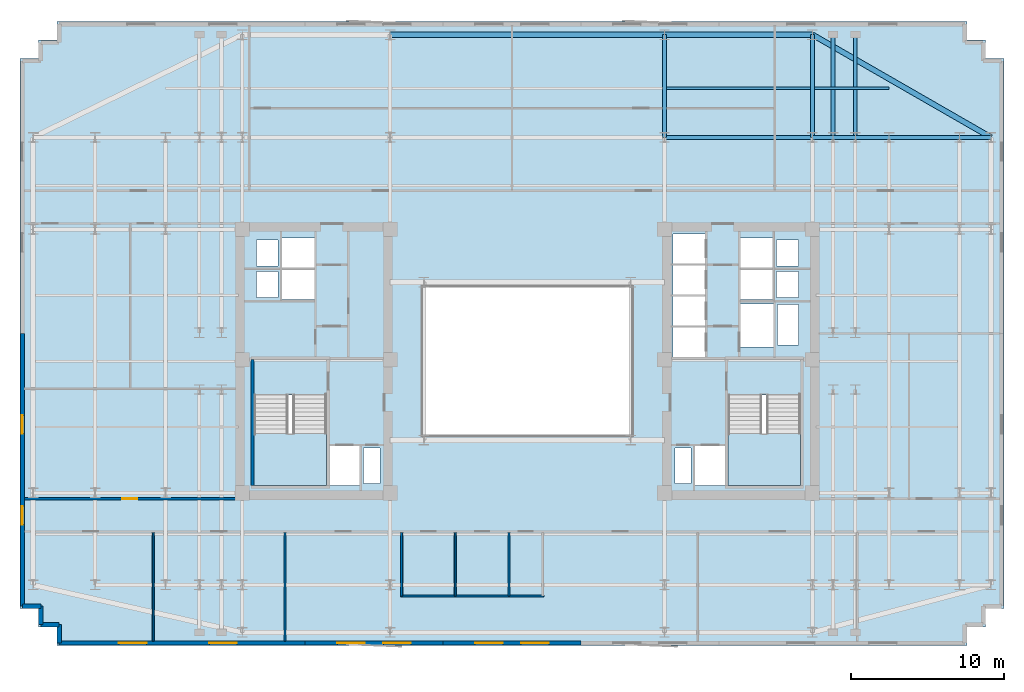
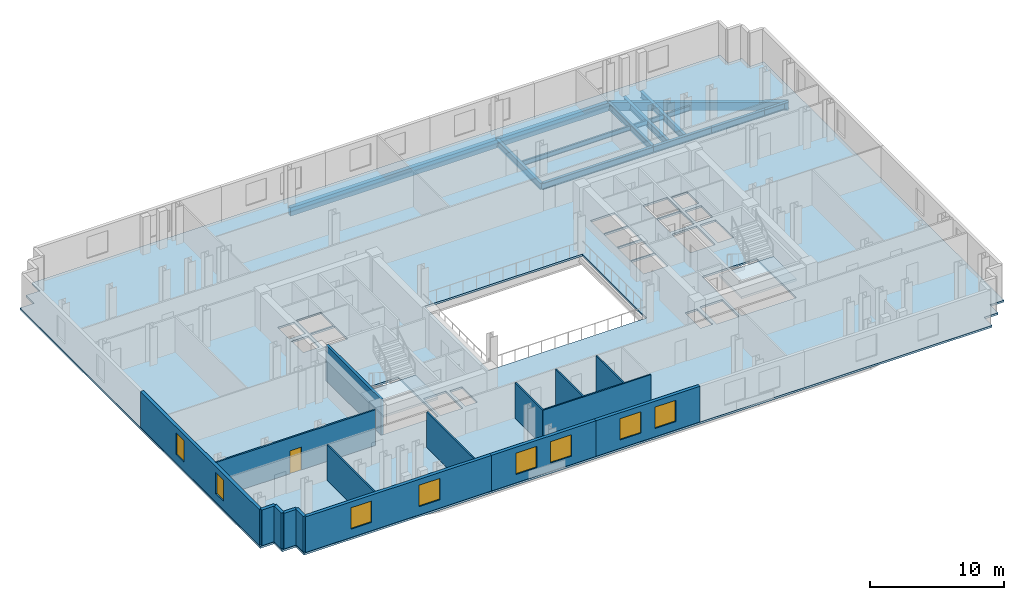
# One storey, part 3 of 10: 16 walls, 13 beams, 8 windows, 3 slabs, 1 door, 9 openings, 2 elements without a shape of their own.
"""IFC4 building model written with IfcOpenShell, lengths in metres."""

from ifc_helpers import new_model, si_unit, direction, frame, frame_2d, origin, origin_2d, place, context, subcontext, project, spatial, polyline, rectangle, i_section, outline, extrude, material, layer, layer_set, material_profile, profile_set, type_object, element, fill, aggregate, save


model = new_model("IFC4")

# Units and contexts
model_context = context("Model", 3, precision=1e-05, world=origin(), true_north=direction((0.0, 1.0)))
body_context = subcontext(model_context, "Body", "Model", "MODEL_VIEW")
ifc_project = project(units=[si_unit("LENGTHUNIT", "METRE"), si_unit("AREAUNIT", "SQUARE_METRE"), si_unit("VOLUMEUNIT", "CUBIC_METRE"), si_unit("PLANEANGLEUNIT", "RADIAN"), si_unit("MASSUNIT", "GRAM", prefix="KILO")], contexts=[model_context])

# Site, building, storey
site_placement = place(None, origin())
site = spatial("IfcSite", under=ifc_project, at=site_placement, CompositionType="ELEMENT")
building_placement = place(site_placement, origin())
building = spatial("IfcBuilding", under=site, at=building_placement, Name="Velakula Bourse", CompositionType="ELEMENT")
storey_placement = place(building_placement, frame((0.0, 0.0, 145.0)))
storey = spatial("IfcBuildingStorey", under=building, at=storey_placement, Name="L39", CompositionType="ELEMENT", Elevation=145.0)

# Beams
ifc_material_1 = material(Name="Steel IS 2062 Grade 350 (E350)", Category="steel")
ifc_material_profile_1 = material_profile(ifc_material_1, i_section(OverallWidth=0.25, OverallDepth=0.60009765625, WebThickness=0.01123046875, FlangeThickness=0.021240234375, at=origin_2d()), Name="Steel IS 2062 Grade 350 (E350)")
ifc_profile_set_1 = profile_set([ifc_material_profile_1], Name="Steel IS 2062 Grade 350 (E350)")
beam_type_1 = type_object("IfcBeamType", Name="BM-GRD-600M", PredefinedType="BEAM", material=ifc_profile_set_1)
beam_1_placement = place(storey_placement, frame((8.949951171875, 14.60009765625, -0.47998046875), z_axis=(1.0, 0.0, 0.0), x_axis=(0.0, 1.0, 0.0)))
element("IfcBeam", 1, at=beam_1_placement, inside=storey, type_object=beam_type_1, Name="L39 Fulcrum Grid Girder FLC-N3", PredefinedType="BEAM", context=body_context, shape_type="SweptSolid", body=[
    extrude(i_section(OverallWidth=0.25, OverallDepth=0.60009765625, WebThickness=0.01123046875, FlangeThickness=0.021240234375, at=origin_2d()), origin(), (0.0, 0.0, 1.0), 9.650146484375),
])
beam_2_placement = place(storey_placement, frame((18.60009765625, 14.60009765625, -0.47998046875), z_axis=(1.0, 0.0, 0.0), x_axis=(0.0, 1.0, 0.0)))
element("IfcBeam", 2, at=beam_2_placement, inside=storey, type_object=beam_type_1, Name="L39 Fulcrum Grid Girder MWG-EN2", PredefinedType="BEAM", context=body_context, shape_type="SweptSolid", body=[
    extrude(i_section(OverallWidth=0.25, OverallDepth=0.60009765625, WebThickness=0.01123046875, FlangeThickness=0.021240234375, at=origin_2d()), origin(), (0.0, 0.0, 1.0), 5.0),
])
beam_3_placement = place(storey_placement, frame((23.60009765625, 14.60009765625, -0.47998046875), z_axis=(1.0, 0.0, 0.0), x_axis=(0.0, 1.0, 0.0)))
element("IfcBeam", 3, at=beam_3_placement, inside=storey, type_object=beam_type_1, Name="L39 Fulcrum Grid Girder WNG-EN2", PredefinedType="BEAM", context=body_context, shape_type="SweptSolid", body=[
    extrude(i_section(OverallWidth=0.25, OverallDepth=0.60009765625, WebThickness=0.01123046875, FlangeThickness=0.021240234375, at=origin_2d()), origin(), (0.0, 0.0, 1.0), 4.599853515625),
])
for number, where, z_axis, x_axis, name in (
    (4, (8.949951171875, 14.60009765625, -0.47998046875), (0.0, 1.0, 0.0), (-1.0, 0.0, 0.0), "L39 Perimeter Tie Girder N3"),
    (5, (18.60009765625, 14.60009765625, -0.47998046875), (0.0, 1.0, 0.0), (-1.0, 0.0, 0.0), "L39 Perimeter Tie Girder N4"),
):
    element("IfcBeam", number, at=place(storey_placement, frame(where, z_axis=z_axis, x_axis=x_axis)), inside=storey, type_object=beam_type_1, Name=name, PredefinedType="BEAM", context=body_context, shape_type="SweptSolid", body=[
        extrude(i_section(OverallWidth=0.25, OverallDepth=0.60009765625, WebThickness=0.01123046875, FlangeThickness=0.021240234375, at=origin_2d()), origin(), (0.0, 0.0, 1.0), 6.699951171875),
    ])
beam_4_placement = place(storey_placement, frame((28.199951171875, 14.60009765625, -0.47998046875), z_axis=(1.0, 0.0, 0.0), x_axis=(0.0, 1.0, 0.0)))
element("IfcBeam", 6, at=beam_4_placement, inside=storey, type_object=beam_type_1, Name="L39 Perimeter Tie Girder E4", PredefinedType="BEAM", context=body_context, shape_type="SweptSolid", body=[
    extrude(i_section(OverallWidth=0.25, OverallDepth=0.60009765625, WebThickness=0.01123046875, FlangeThickness=0.021240234375, at=origin_2d()), origin(), (0.0, 0.0, 1.0), 2.050048828125),
])
for number, where, z_axis, x_axis, name in (
    (7, (19.949951171875, 14.60009765625, -0.47998046875), (0.0, 1.0, 0.0), (-1.0, 0.0, 0.0), "L39 Perimeter Tie Girder P07"),
    (8, (21.39990234375, 14.60009765625, -0.47998046875), (0.0, 1.0, 0.0), (-1.0, 0.0, 0.0), "L39 Perimeter Tie Girder P08"),
):
    element("IfcBeam", number, at=place(storey_placement, frame(where, z_axis=z_axis, x_axis=x_axis)), inside=storey, type_object=beam_type_1, Name=name, PredefinedType="BEAM", context=body_context, shape_type="SweptSolid", body=[
        extrude(i_section(OverallWidth=0.25, OverallDepth=0.60009765625, WebThickness=0.01123046875, FlangeThickness=0.021240234375, at=origin_2d()), origin(), (0.0, 0.0, 1.0), 6.699951171875),
    ])
ifc_material_profile_2 = material_profile(ifc_material_1, i_section(OverallWidth=0.14990234375, OverallDepth=0.449951171875, WebThickness=0.009521484375, FlangeThickness=0.017333984375, at=origin_2d()), Name="Steel IS 2062 Grade 350 (E350)")
ifc_profile_set_2 = profile_set([ifc_material_profile_2], Name="Steel IS 2062 Grade 350 (E350)")
beam_type_2 = type_object("IfcBeamType", Name="JST-TWR-450", PredefinedType="JOIST", material=ifc_profile_set_2)
beam_5_placement = place(storey_placement, frame((9.074951171875, 17.800048828125, -0.405029296875), z_axis=(1.0, 0.0, 0.0), x_axis=(0.0, 1.0, 0.0)))
element("IfcBeam", 9, at=beam_5_placement, inside=storey, type_object=beam_type_2, Name="L39 Trading Floor Composite Joist 20", PredefinedType="JOIST", context=body_context, shape_type="SweptSolid", body=[
    extrude(i_section(OverallWidth=0.14990234375, OverallDepth=0.449951171875, WebThickness=0.009521484375, FlangeThickness=0.017333984375, at=origin_2d()), origin(), (0.0, 0.0, 1.0), 9.400146484375),
])
beam_6_placement = place(storey_placement, frame((18.72509765625, 17.800048828125, -0.405029296875), z_axis=(1.0, 0.0, 0.0), x_axis=(0.0, 1.0, 0.0)))
element("IfcBeam", 10, at=beam_6_placement, inside=storey, type_object=beam_type_2, Name="L39 Trading Floor Composite Joist 21", PredefinedType="JOIST", context=body_context, shape_type="SweptSolid", body=[
    extrude(i_section(OverallWidth=0.14990234375, OverallDepth=0.449951171875, WebThickness=0.009521484375, FlangeThickness=0.017333984375, at=origin_2d()), origin(), (0.0, 0.0, 1.0), 4.875),
])
ifc_material_2 = material(Name="Precast concrete M45 (fck 45 MPa)", Category="concrete")
ifc_material_profile_3 = material_profile(ifc_material_2, rectangle(XDim=0.35009765625, YDim=0.75, at=origin_2d()), Name="Precast concrete M45 (fck 45 MPa)")
ifc_profile_set_3 = profile_set([ifc_material_profile_3], Name="Precast concrete M45 (fck 45 MPa)")
beam_type_3 = type_object("IfcBeamType", Name="SPN-BRICK-750", PredefinedType="SPANDREL", material=ifc_profile_set_3)
beam_7_placement = place(storey_placement, frame((-8.949951171875, 21.300048828125, -0.554931640625), z_axis=(1.0, 0.0, 0.0), x_axis=(0.0, 1.0, 0.0)))
element("IfcBeam", 11, at=beam_7_placement, inside=storey, type_object=beam_type_3, Name="L39 Brick-Faced Precast Spandrel N2-N3", PredefinedType="SPANDREL", context=body_context, shape_type="SweptSolid", body=[
    extrude(rectangle(XDim=0.35009765625, YDim=0.75, at=origin_2d()), origin(), (0.0, 0.0, 1.0), 17.89990234375),
])
beam_8_placement = place(storey_placement, frame((8.949951171875, 21.300048828125, -0.554931640625), z_axis=(1.0, 0.0, 0.0), x_axis=(0.0, 1.0, 0.0)))
element("IfcBeam", 12, at=beam_8_placement, inside=storey, type_object=beam_type_3, Name="L39 Brick-Faced Precast Spandrel N3-N4", PredefinedType="SPANDREL", context=body_context, shape_type="SweptSolid", body=[
    extrude(rectangle(XDim=0.35009765625, YDim=0.75, at=origin_2d()), origin(), (0.0, 0.0, 1.0), 9.650146484375),
])
beam_9_placement = place(storey_placement, frame((30.25, 14.60009765625, -0.554931640625), z_axis=(-0.866865871572, 0.498541433286, 0.0), x_axis=(-0.498541433286, -0.866865871572, 0.0)))
element("IfcBeam", 13, at=beam_9_placement, inside=storey, type_object=beam_type_3, Name="L39 Brick-Faced Precast Spandrel E4-N4", PredefinedType="SPANDREL", context=body_context, shape_type="SweptSolid", body=[
    extrude(rectangle(XDim=0.35009765625, YDim=0.75, at=origin_2d()), origin(), (0.0, 0.0, 1.0), 13.439208984375),
])

# Stair, slab
ifc_material_3 = material(Name="Concrete M45 (fck 45 MPa)", Category="concrete")
stair_type = type_object("IfcStairType", Name="STR-DOG-390", PredefinedType="HALF_TURN_STAIR", material=ifc_material_3)
stair_1_placement = place(storey_placement, origin())
stair_1 = element("IfcStair", 14, at=stair_1_placement, inside=storey, type_object=stair_type, Name="L39 West Core Exit Stair ST-W1", PredefinedType="HALF_TURN_STAIR")
ifc_layer_1 = layer(ifc_material_3, 0.199951171875, Name="Concrete M45 (fck 45 MPa)", Category="concrete")
ifc_layer_set_1 = layer_set([ifc_layer_1], Name="Concrete M45 (fck 45 MPa)")
slab_type_1 = type_object("IfcSlabType", Name="SLB-STAIR-LND-200", PredefinedType="LANDING", material=ifc_layer_set_1)
slab_1_placement = place(storey_placement, frame((0.0, 0.0, 1.52490234375)))
slab_1 = element("IfcSlab", 15, at=slab_1_placement, type_object=slab_type_1, Name="ST-W1 landing 1", PredefinedType="LANDING", context=body_context, shape_type="SweptSolid", body=[
    extrude(outline(polyline([(-17.820068359375, -4.719970703125), (-17.820068359375, -8.10009765625), (-13.10009765625, -8.10009765625), (-13.10009765625, -4.719970703125), (-17.820068359375, -4.719970703125)])), origin(), (0.0, 0.0, 1.0), 0.2001953125),
])
aggregate(stair_1, [slab_1])

stair_2_placement = place(storey_placement, origin())
stair_2 = element("IfcStair", 16, at=stair_2_placement, inside=storey, type_object=stair_type, Name="L39 East Core Exit Stair ST-E1", PredefinedType="HALF_TURN_STAIR")
slab_2_placement = place(storey_placement, frame((0.0, 0.0, 1.52490234375)))
slab_2 = element("IfcSlab", 17, at=slab_2_placement, type_object=slab_type_1, Name="ST-E1 landing 1", PredefinedType="LANDING", context=body_context, shape_type="SweptSolid", body=[
    extrude(outline(polyline([(13.10009765625, -4.719970703125), (13.10009765625, -8.10009765625), (17.820068359375, -8.10009765625), (17.820068359375, -4.719970703125), (13.10009765625, -4.719970703125)])), origin(), (0.0, 0.0, 1.0), 0.2001953125),
])
aggregate(stair_2, [slab_2])

# Slab
ifc_material_4 = material(Name="Concrete M50 (fck 50 MPa)", Category="concrete")
ifc_layer_2 = layer(ifc_material_4, 0.179931640625, Name="Concrete M50 (fck 50 MPa)", Category="concrete")
ifc_layer_set_2 = layer_set([ifc_layer_2], Name="Concrete M50 (fck 50 MPa)")
slab_type_2 = type_object("IfcSlabType", Name="SLB-TWR-180", PredefinedType="FLOOR", material=ifc_layer_set_2)
slab_3_placement = place(storey_placement, frame((0.0, 0.0, -0.179931640625)))
element("IfcSlab", 18, at=slab_3_placement, inside=storey, type_object=slab_type_2, Name="L39 Suspended Structural Floor Slab", PredefinedType="FLOOR", context=body_context, shape_type="SweptSolid", body=[
    extrude(outline(polyline([(-30.699951171875, -18.550048828125), (28.699951171875, -18.550048828125), (28.699951171875, -17.35009765625), (29.89990234375, -17.35009765625), (29.89990234375, -16.14990234375), (31.10009765625, -16.14990234375), (31.10009765625, 19.75), (29.89990234375, 19.75), (29.89990234375, 20.949951171875), (28.699951171875, 20.949951171875), (28.699951171875, 22.14990234375), (-30.699951171875, 22.14990234375), (-30.699951171875, 20.949951171875), (-31.89990234375, 20.949951171875), (-31.89990234375, 19.75), (-33.10009765625, 19.75), (-33.10009765625, -16.14990234375), (-31.89990234375, -16.14990234375), (-31.89990234375, -17.35009765625), (-30.699951171875, -17.35009765625), (-30.699951171875, -18.550048828125)]), holes=[polyline([(-17.820068359375, -8.10009765625), (-13.10009765625, -8.10009765625), (-13.10009765625, -2.199951171875), (-17.820068359375, -2.199951171875), (-17.820068359375, -8.10009765625)]), polyline([(13.10009765625, -8.10009765625), (17.820068359375, -8.10009765625), (17.820068359375, -2.199951171875), (13.10009765625, -2.199951171875), (13.10009765625, -8.10009765625)]), polyline([(-12.89990234375, -8.10009765625), (-10.949951171875, -8.10009765625), (-10.949951171875, -5.550048828125), (-12.89990234375, -5.550048828125), (-12.89990234375, -8.10009765625)]), polyline([(10.949951171875, -8.10009765625), (12.89990234375, -8.10009765625), (12.89990234375, -5.550048828125), (10.949951171875, -5.550048828125), (10.949951171875, -8.10009765625)]), polyline([(13.89990234375, 0.919921875), (16.050048828125, 0.919921875), (16.050048828125, 3.719970703125), (13.89990234375, 3.719970703125), (13.89990234375, 0.919921875)]), polyline([(-10.679931640625, -7.97998046875), (-9.6201171875, -7.97998046875), (-9.6201171875, -5.669921875), (-10.679931640625, -5.669921875), (-10.679931640625, -7.97998046875)]), polyline([(-17.679931640625, 4.139892578125), (-16.27001953125, 4.139892578125), (-16.27001953125, 5.85009765625), (-17.679931640625, 5.85009765625), (-17.679931640625, 4.139892578125)]), polyline([(-17.679931640625, 6.2099609375), (-16.27001953125, 6.2099609375), (-16.27001953125, 7.919921875), (-17.679931640625, 7.919921875), (-17.679931640625, 6.2099609375)]), polyline([(9.6201171875, -7.97998046875), (10.679931640625, -7.97998046875), (10.679931640625, -5.669921875), (9.6201171875, -5.669921875), (9.6201171875, -7.97998046875)]), polyline([(16.27001953125, 4.139892578125), (17.679931640625, 4.139892578125), (17.679931640625, 5.85009765625), (16.27001953125, 5.85009765625), (16.27001953125, 4.139892578125)]), polyline([(16.27001953125, 6.2099609375), (17.679931640625, 6.2099609375), (17.679931640625, 7.919921875), (16.27001953125, 7.919921875), (16.27001953125, 6.2099609375)]), polyline([(16.320068359375, 1.0400390625), (17.679931640625, 1.0400390625), (17.679931640625, 3.699951171875), (16.320068359375, 3.699951171875), (16.320068359375, 1.0400390625)]), polyline([(9.5, 0.280029296875), (11.60009765625, 0.280029296875), (11.60009765625, 2.199951171875), (9.5, 2.199951171875), (9.5, 0.280029296875)]), polyline([(9.5, 2.31005859375), (11.60009765625, 2.31005859375), (11.60009765625, 4.22998046875), (9.5, 4.22998046875), (9.5, 2.31005859375)]), polyline([(9.5, 4.340087890625), (11.60009765625, 4.340087890625), (11.60009765625, 6.260009765625), (9.5, 6.260009765625), (9.5, 4.340087890625)]), polyline([(9.5, 6.3701171875), (11.60009765625, 6.3701171875), (11.60009765625, 8.2900390625), (9.5, 8.2900390625), (9.5, 6.3701171875)]), polyline([(-16.0, 4.02001953125), (-13.89990234375, 4.02001953125), (-13.89990234375, 5.969970703125), (-16.0, 5.969970703125), (-16.0, 4.02001953125)]), polyline([(-16.0, 6.090087890625), (-13.89990234375, 6.090087890625), (-13.89990234375, 8.0400390625), (-16.0, 8.0400390625), (-16.0, 6.090087890625)]), polyline([(13.89990234375, 4.02001953125), (16.0, 4.02001953125), (16.0, 5.969970703125), (13.89990234375, 5.969970703125), (13.89990234375, 4.02001953125)]), polyline([(13.89990234375, 6.090087890625), (16.0, 6.090087890625), (16.0, 8.0400390625), (13.89990234375, 8.0400390625), (13.89990234375, 6.090087890625)]), polyline([(-6.800048828125, -4.800048828125), (6.800048828125, -4.800048828125), (6.800048828125, 4.800048828125), (-6.800048828125, 4.800048828125), (-6.800048828125, -4.800048828125)])]), origin(), (0.0, 0.0, 1.0), 0.179931640625),
])

# Wall
ifc_layer_3 = layer(ifc_material_4, 0.2099609375, Name="Concrete M50 (fck 50 MPa)", Category="concrete")
ifc_layer_set_3 = layer_set([ifc_layer_3], Name="Concrete M50 (fck 50 MPa)")
wall_type_1 = type_object("IfcWallType", Name="WL-CORE-210", PredefinedType="SHEAR", material=ifc_layer_set_3)
wall_1_placement = place(storey_placement, frame((-17.925048828125, -8.10009765625, 0.0), z_axis=(0.0, 0.0, 1.0), x_axis=(0.0, 1.0, 0.0)))
element("IfcWall", 19, at=wall_1_placement, inside=storey, type_object=wall_type_1, Name="L39 Core W Stairwell Shear Wall OUT", PredefinedType="SHEAR", context=body_context, shape_type="SweptSolid", body=[
    extrude(rectangle(XDim=8.2001953125, YDim=0.2099609375, at=frame_2d((4.10009765625, 0.0))), origin(), (0.0, 0.0, 1.0), 3.27001953125),
])

# Wall, openings, windows
ifc_material_5 = material(Name="Red kilned clay facing brick masonry", Category="masonry")
ifc_layer_4 = layer(ifc_material_5, 0.280029296875, Name="Red kilned clay facing brick masonry", Category="masonry")
ifc_layer_set_4 = layer_set([ifc_layer_4], Name="Red kilned clay facing brick masonry")
wall_type_2 = type_object("IfcWallType", Name="WL-EXT-BRK-280", PredefinedType="STANDARD", material=ifc_layer_set_4)
wall_2_placement = place(storey_placement, frame((-14.5, -18.389892578125, 0.0), z_axis=(0.0, 0.0, 1.0), x_axis=(-1.0, 0.0, 0.0)))
wall_2 = element("IfcWall", 20, at=wall_2_placement, inside=storey, type_object=wall_type_2, Name="L39 S Brick Spandrel Wall B1", PredefinedType="STANDARD", context=body_context, shape_type="SweptSolid", body=[
    extrude(rectangle(XDim=16.0400390625, YDim=0.280029296875, at=frame_2d((8.02001953125, 0.0))), origin(), (0.0, 0.0, 1.0), 3.25),
])
opening_1_placement = place(wall_2_placement, frame((4.44677734375, 0.0, 0.760009765625)))
opening_1 = element("IfcOpeningElement", 21, at=opening_1_placement, cuts=wall_2, Name="Opening W-01", PredefinedType="OPENING", context=body_context, shape_type="SweptSolid", body=[
    extrude(rectangle(XDim=1.800048828125, YDim=1.949951171875, at=frame_2d((0.89990234375, 0.97509765625))), frame((0.0, 0.14990234375, 0.0), z_axis=(0.0, -1.0, 0.0), x_axis=(1.0, 0.0, 0.0)), (0.0, 0.0, 1.0), 0.300048828125),
])
opening_2_placement = place(wall_2_placement, frame((10.34326171875, 0.0, 0.760009765625)))
opening_2 = element("IfcOpeningElement", 22, at=opening_2_placement, cuts=wall_2, Name="Opening W-01", PredefinedType="OPENING", context=body_context, shape_type="SweptSolid", body=[
    extrude(rectangle(XDim=1.800048828125, YDim=1.949951171875, at=frame_2d((0.89990234375, 0.97509765625))), frame((0.0, 0.14990234375, 0.0), z_axis=(0.0, -1.0, 0.0), x_axis=(1.0, 0.0, 0.0)), (0.0, 0.0, 1.0), 0.300048828125),
])
ifc_material_6 = material(Name="Double-glazed solar-control Low-E glass", Category="glass")
window_type_1 = type_object("IfcWindowType", Name="WIN-TWR-1800x2100", PartitioningType="SINGLE_PANEL", PredefinedType="WINDOW", material=ifc_material_6)
window_1_placement = place(opening_1_placement, origin())
window_1 = element("IfcWindow", 23, at=window_1_placement, inside=storey, type_object=window_type_1, Name="L39 Deep-Set Recessed Window 1", OverallHeight=1.949951171875, OverallWidth=1.800048828125, PartitioningType="SINGLE_PANEL", PredefinedType="WINDOW", context=body_context, shape_type="SweptSolid", body=[
    extrude(rectangle(XDim=1.800048828125, YDim=1.949951171875, at=frame_2d((0.89990234375, 0.97509765625))), frame((0.0, 0.030029296875, 0.0), z_axis=(0.0, -1.0, 0.0), x_axis=(1.0, 0.0, 0.0)), (0.0, 0.0, 1.0), 0.06005859375),
])
fill(opening_1, window_1)
window_2_placement = place(opening_2_placement, origin())
window_2 = element("IfcWindow", 24, at=window_2_placement, inside=storey, type_object=window_type_1, Name="L39 Deep-Set Recessed Window 2", OverallHeight=1.949951171875, OverallWidth=1.800048828125, PartitioningType="SINGLE_PANEL", PredefinedType="WINDOW", context=body_context, shape_type="SweptSolid", body=[
    extrude(rectangle(XDim=1.800048828125, YDim=1.949951171875, at=frame_2d((0.89990234375, 0.97509765625))), frame((0.0, 0.030029296875, 0.0), z_axis=(0.0, -1.0, 0.0), x_axis=(1.0, 0.0, 0.0)), (0.0, 0.0, 1.0), 0.06005859375),
])
fill(opening_2, window_2)

wall_3_placement = place(storey_placement, frame((-5.5, -18.389892578125, 0.0), z_axis=(0.0, 0.0, 1.0), x_axis=(-1.0, 0.0, 0.0)))
wall_3 = element("IfcWall", 25, at=wall_3_placement, inside=storey, type_object=wall_type_2, Name="L39 S Brick Spandrel Wall B2", PredefinedType="STANDARD", context=body_context, shape_type="SweptSolid", body=[
    extrude(rectangle(XDim=9.0, YDim=0.280029296875, at=frame_2d((4.5, 0.0))), origin(), (0.0, 0.0, 1.0), 3.25),
])
opening_3_placement = place(wall_3_placement, frame((2.10009765625, 0.0, 0.760009765625)))
opening_3 = element("IfcOpeningElement", 26, at=opening_3_placement, cuts=wall_3, Name="Opening W-01", PredefinedType="OPENING", context=body_context, shape_type="SweptSolid", body=[
    extrude(rectangle(XDim=1.800048828125, YDim=1.949951171875, at=frame_2d((0.89990234375, 0.97509765625))), frame((0.0, 0.14990234375, 0.0), z_axis=(0.0, -1.0, 0.0), x_axis=(1.0, 0.0, 0.0)), (0.0, 0.0, 1.0), 0.300048828125),
])
opening_4_placement = place(wall_3_placement, frame((5.10009765625, 0.0, 0.760009765625)))
opening_4 = element("IfcOpeningElement", 27, at=opening_4_placement, cuts=wall_3, Name="Opening W-01", PredefinedType="OPENING", context=body_context, shape_type="SweptSolid", body=[
    extrude(rectangle(XDim=1.800048828125, YDim=1.949951171875, at=frame_2d((0.89990234375, 0.97509765625))), frame((0.0, 0.14990234375, 0.0), z_axis=(0.0, -1.0, 0.0), x_axis=(1.0, 0.0, 0.0)), (0.0, 0.0, 1.0), 0.300048828125),
])
window_3_placement = place(opening_3_placement, origin())
window_3 = element("IfcWindow", 28, at=window_3_placement, inside=storey, type_object=window_type_1, Name="L39 Deep-Set Recessed Window 1", OverallHeight=1.949951171875, OverallWidth=1.800048828125, PartitioningType="SINGLE_PANEL", PredefinedType="WINDOW", context=body_context, shape_type="SweptSolid", body=[
    extrude(rectangle(XDim=1.800048828125, YDim=1.949951171875, at=frame_2d((0.89990234375, 0.97509765625))), frame((0.0, 0.030029296875, 0.0), z_axis=(0.0, -1.0, 0.0), x_axis=(1.0, 0.0, 0.0)), (0.0, 0.0, 1.0), 0.06005859375),
])
fill(opening_3, window_3)
window_4_placement = place(opening_4_placement, origin())
window_4 = element("IfcWindow", 29, at=window_4_placement, inside=storey, type_object=window_type_1, Name="L39 Deep-Set Recessed Window 2", OverallHeight=1.949951171875, OverallWidth=1.800048828125, PartitioningType="SINGLE_PANEL", PredefinedType="WINDOW", context=body_context, shape_type="SweptSolid", body=[
    extrude(rectangle(XDim=1.800048828125, YDim=1.949951171875, at=frame_2d((0.89990234375, 0.97509765625))), frame((0.0, 0.030029296875, 0.0), z_axis=(0.0, -1.0, 0.0), x_axis=(1.0, 0.0, 0.0)), (0.0, 0.0, 1.0), 0.06005859375),
])
fill(opening_4, window_4)

wall_4_placement = place(storey_placement, frame((3.5, -18.389892578125, 0.0), z_axis=(0.0, 0.0, 1.0), x_axis=(-1.0, 0.0, 0.0)))
wall_4 = element("IfcWall", 30, at=wall_4_placement, inside=storey, type_object=wall_type_2, Name="L39 S Brick Spandrel Wall B3", PredefinedType="STANDARD", context=body_context, shape_type="SweptSolid", body=[
    extrude(rectangle(XDim=9.0, YDim=0.280029296875, at=frame_2d((4.5, 0.0))), origin(), (0.0, 0.0, 1.0), 3.25),
])
opening_5_placement = place(wall_4_placement, frame((2.10009765625, 0.0, 0.760009765625)))
opening_5 = element("IfcOpeningElement", 31, at=opening_5_placement, cuts=wall_4, Name="Opening W-01", PredefinedType="OPENING", context=body_context, shape_type="SweptSolid", body=[
    extrude(rectangle(XDim=1.800048828125, YDim=1.949951171875, at=frame_2d((0.89990234375, 0.97509765625))), frame((0.0, 0.14990234375, 0.0), z_axis=(0.0, -1.0, 0.0), x_axis=(1.0, 0.0, 0.0)), (0.0, 0.0, 1.0), 0.300048828125),
])
opening_6_placement = place(wall_4_placement, frame((5.10009765625, 0.0, 0.760009765625)))
opening_6 = element("IfcOpeningElement", 32, at=opening_6_placement, cuts=wall_4, Name="Opening W-01", PredefinedType="OPENING", context=body_context, shape_type="SweptSolid", body=[
    extrude(rectangle(XDim=1.800048828125, YDim=1.949951171875, at=frame_2d((0.89990234375, 0.97509765625))), frame((0.0, 0.14990234375, 0.0), z_axis=(0.0, -1.0, 0.0), x_axis=(1.0, 0.0, 0.0)), (0.0, 0.0, 1.0), 0.300048828125),
])
window_5_placement = place(opening_5_placement, origin())
window_5 = element("IfcWindow", 33, at=window_5_placement, inside=storey, type_object=window_type_1, Name="L39 Deep-Set Recessed Window 1", OverallHeight=1.949951171875, OverallWidth=1.800048828125, PartitioningType="SINGLE_PANEL", PredefinedType="WINDOW", context=body_context, shape_type="SweptSolid", body=[
    extrude(rectangle(XDim=1.800048828125, YDim=1.949951171875, at=frame_2d((0.89990234375, 0.97509765625))), frame((0.0, 0.030029296875, 0.0), z_axis=(0.0, -1.0, 0.0), x_axis=(1.0, 0.0, 0.0)), (0.0, 0.0, 1.0), 0.06005859375),
])
fill(opening_5, window_5)
window_6_placement = place(opening_6_placement, origin())
window_6 = element("IfcWindow", 34, at=window_6_placement, inside=storey, type_object=window_type_1, Name="L39 Deep-Set Recessed Window 2", OverallHeight=1.949951171875, OverallWidth=1.800048828125, PartitioningType="SINGLE_PANEL", PredefinedType="WINDOW", context=body_context, shape_type="SweptSolid", body=[
    extrude(rectangle(XDim=1.800048828125, YDim=1.949951171875, at=frame_2d((0.89990234375, 0.97509765625))), frame((0.0, 0.030029296875, 0.0), z_axis=(0.0, -1.0, 0.0), x_axis=(1.0, 0.0, 0.0)), (0.0, 0.0, 1.0), 0.06005859375),
])
fill(opening_6, window_6)

wall_5_placement = place(storey_placement, frame((-32.93994140625, -15.989990234375, 0.0), z_axis=(0.0, 0.0, 1.0), x_axis=(0.0, 1.0, 0.0)))
wall_5 = element("IfcWall", 35, at=wall_5_placement, inside=storey, type_object=wall_type_2, Name="L39 W Brick End Wall W1", PredefinedType="STANDARD", context=body_context, shape_type="SweptSolid", body=[
    extrude(rectangle(XDim=17.7900390625, YDim=0.280029296875, at=frame_2d((8.89501953125, 0.0))), origin(), (0.0, 0.0, 1.0), 3.25),
])
opening_7_placement = place(wall_5_placement, frame((5.330078125, 0.0, 0.760009765625)))
opening_7 = element("IfcOpeningElement", 36, at=opening_7_placement, cuts=wall_5, Name="Opening W-04", PredefinedType="OPENING", context=body_context, shape_type="SweptSolid", body=[
    extrude(rectangle(XDim=1.199951171875, YDim=1.949951171875, at=frame_2d((0.60009765625, 0.97509765625))), frame((0.0, 0.14990234375, 0.0), z_axis=(0.0, -1.0, 0.0), x_axis=(1.0, 0.0, 0.0)), (0.0, 0.0, 1.0), 0.300048828125),
])
opening_8_placement = place(wall_5_placement, frame((11.260009765625, 0.0, 0.760009765625)))
opening_8 = element("IfcOpeningElement", 37, at=opening_8_placement, cuts=wall_5, Name="Opening W-04", PredefinedType="OPENING", context=body_context, shape_type="SweptSolid", body=[
    extrude(rectangle(XDim=1.199951171875, YDim=1.949951171875, at=frame_2d((0.60009765625, 0.97509765625))), frame((0.0, 0.14990234375, 0.0), z_axis=(0.0, -1.0, 0.0), x_axis=(1.0, 0.0, 0.0)), (0.0, 0.0, 1.0), 0.300048828125),
])
window_type_2 = type_object("IfcWindowType", Name="WIN-TWR-1200x2100", PartitioningType="SINGLE_PANEL", PredefinedType="WINDOW", material=ifc_material_6)
window_7_placement = place(opening_7_placement, origin())
window_7 = element("IfcWindow", 38, at=window_7_placement, inside=storey, type_object=window_type_2, Name="L39 Deep-Set Recessed Window 1", OverallHeight=1.949951171875, OverallWidth=1.199951171875, PartitioningType="SINGLE_PANEL", PredefinedType="WINDOW", context=body_context, shape_type="SweptSolid", body=[
    extrude(rectangle(XDim=1.199951171875, YDim=1.949951171875, at=frame_2d((0.60009765625, 0.97509765625))), frame((0.0, 0.030029296875, 0.0), z_axis=(0.0, -1.0, 0.0), x_axis=(1.0, 0.0, 0.0)), (0.0, 0.0, 1.0), 0.06005859375),
])
fill(opening_7, window_7)
window_8_placement = place(opening_8_placement, origin())
window_8 = element("IfcWindow", 39, at=window_8_placement, inside=storey, type_object=window_type_2, Name="L39 Deep-Set Recessed Window 2", OverallHeight=1.949951171875, OverallWidth=1.199951171875, PartitioningType="SINGLE_PANEL", PredefinedType="WINDOW", context=body_context, shape_type="SweptSolid", body=[
    extrude(rectangle(XDim=1.199951171875, YDim=1.949951171875, at=frame_2d((0.60009765625, 0.97509765625))), frame((0.0, 0.030029296875, 0.0), z_axis=(0.0, -1.0, 0.0), x_axis=(1.0, 0.0, 0.0)), (0.0, 0.0, 1.0), 0.06005859375),
])
fill(opening_8, window_8)

# Walls
for number, where, z_axis, x_axis, name in (
    (40, (-32.93994140625, -15.989990234375, 0.0), (0.0, 0.0, 1.0), (1.0, 0.0, 0.0), "L39 Serrated Corner Brick Wall SW-1"),
    (41, (-31.739990234375, -15.989990234375, 0.0), (0.0, 0.0, 1.0), (0.0, -1.0, 0.0), "L39 Serrated Corner Brick Wall SW-2"),
    (42, (-31.739990234375, -17.18994140625, 0.0), (0.0, 0.0, 1.0), (1.0, 0.0, 0.0), "L39 Serrated Corner Brick Wall SW-3"),
    (43, (-30.5400390625, -17.18994140625, 0.0), (0.0, 0.0, 1.0), (0.0, -1.0, 0.0), "L39 Serrated Corner Brick Wall SW-4"),
):
    element("IfcWall", number, at=place(storey_placement, frame(where, z_axis=z_axis, x_axis=x_axis)), inside=storey, type_object=wall_type_2, Name=name, PredefinedType="STANDARD", context=body_context, shape_type="SweptSolid", body=[
        extrude(rectangle(XDim=1.199951171875, YDim=0.280029296875, at=frame_2d((0.60009765625, 0.0))), origin(), (0.0, 0.0, 1.0), 3.25),
    ])
ifc_material_7 = material(Name="Fire-rated double-layer gypsum drywall partition", Category="gypsum")
ifc_layer_5 = layer(ifc_material_7, 0.1201171875, Name="Fire-rated double-layer gypsum drywall partition", Category="gypsum")
ifc_layer_set_5 = layer_set([ifc_layer_5], Name="Fire-rated double-layer gypsum drywall partition")
wall_type_3 = type_object("IfcWallType", Name="WL-PART-120", PredefinedType="STANDARD", material=ifc_layer_set_5)
wall_6_placement = place(storey_placement, frame((-8.260009765625, -15.320068359375, 0.0), z_axis=(0.0, 0.0, 1.0), x_axis=(1.0, 0.0, 0.0)))
element("IfcWall", 44, at=wall_6_placement, inside=storey, type_object=wall_type_3, Name="L39 Interior Partition WL-WC-L39-BACK", PredefinedType="STANDARD", context=body_context, shape_type="SweptSolid", body=[
    extrude(rectangle(XDim=9.320068359375, YDim=0.1201171875, at=frame_2d((4.66015625, 0.0))), origin(), (0.0, 0.0, 1.0), 3.25),
])
for number, where, z_axis, x_axis, name in (
    (45, (-8.199951171875, -15.320068359375, 0.0), (0.0, 0.0, 1.0), (0.0, 1.0, 0.0), "L39 Interior Partition WL-WC-L39-V1"),
    (46, (-4.699951171875, -15.320068359375, 0.0), (0.0, 0.0, 1.0), (0.0, 1.0, 0.0), "L39 Interior Partition WL-WC-L39-V2"),
    (47, (-1.199951171875, -15.320068359375, 0.0), (0.0, 0.0, 1.0), (0.0, 1.0, 0.0), "L39 Interior Partition WL-WC-L39-V3"),
):
    element("IfcWall", number, at=place(storey_placement, frame(where, z_axis=z_axis, x_axis=x_axis)), inside=storey, type_object=wall_type_3, Name=name, PredefinedType="STANDARD", context=body_context, shape_type="SweptSolid", body=[
        extrude(rectangle(XDim=4.130126953125, YDim=0.1201171875, at=frame_2d((2.06494140625, 0.0))), origin(), (0.0, 0.0, 1.0), 3.25),
    ])
for number, where, z_axis, x_axis, name in (
    (48, (-24.409912109375, -18.27001953125, 0.0), (0.0, 0.0, 1.0), (0.0, 1.0, 0.0), "L39 Interior Partition WL-INT-L39-SL-D5"),
    (49, (-15.81396484375, -18.27001953125, 0.0), (0.0, 0.0, 1.0), (0.0, 1.0, 0.0), "L39 Interior Partition WL-INT-L39-SL-D6"),
):
    element("IfcWall", number, at=place(storey_placement, frame(where, z_axis=z_axis, x_axis=x_axis)), inside=storey, type_object=wall_type_3, Name=name, PredefinedType="STANDARD", context=body_context, shape_type="SweptSolid", body=[
        extrude(rectangle(XDim=7.080078125, YDim=0.1201171875, at=frame_2d((3.5400390625, 0.0))), origin(), (0.0, 0.0, 1.0), 3.25),
    ])

# Wall, opening, door
ifc_layer_6 = layer(ifc_material_7, 0.139892578125, Name="Fire-rated double-layer gypsum drywall partition", Category="gypsum")
ifc_layer_set_6 = layer_set([ifc_layer_6], Name="Fire-rated double-layer gypsum drywall partition")
wall_type_4 = type_object("IfcWallType", Name="WL-PART-140", PredefinedType="STANDARD", material=ifc_layer_set_6)
wall_7_placement = place(storey_placement, frame((-32.820068359375, -8.97998046875, 0.0), z_axis=(0.0, 0.0, 1.0), x_axis=(1.0, 0.0, 0.0)))
wall_7 = element("IfcWall", 50, at=wall_7_placement, inside=storey, type_object=wall_type_4, Name="L39 Interior Partition WL-INT-L39-W-SC", PredefinedType="STANDARD", context=body_context, shape_type="SweptSolid", body=[
    extrude(rectangle(XDim=13.77001953125, YDim=0.139892578125, at=frame_2d((6.885009765625, 0.0))), origin(), (0.0, 0.0, 1.0), 3.25),
])
opening_9_placement = place(wall_7_placement, frame((6.385009765625, 0.0, 0.0)))
opening_9 = element("IfcOpeningElement", 51, at=opening_9_placement, cuts=wall_7, Name="Opening D-OF1", PredefinedType="OPENING", context=body_context, shape_type="SweptSolid", body=[
    extrude(rectangle(XDim=1.0, YDim=2.080078125, at=frame_2d((0.5, 1.0400390625))), frame((0.0, 0.079833984375, 0.0), z_axis=(0.0, -1.0, 0.0), x_axis=(1.0, 0.0, 0.0)), (0.0, 0.0, 1.0), 0.159912109375),
])
ifc_material_8 = material(Name="Fire-rated hardwood flush architectural door", Category="wood")
door_type = type_object("IfcDoorType", Name="DR-OFF-1000", OperationType="NOTDEFINED", PredefinedType="DOOR", material=ifc_material_8)
door_placement = place(opening_9_placement, origin())
door = element("IfcDoor", 52, at=door_placement, inside=storey, type_object=door_type, Name="L39 Asset Allocation Office Door", OperationType="SINGLE_SWING_RIGHT", OverallHeight=2.080078125, OverallWidth=1.0, PredefinedType="DOOR", context=body_context, shape_type="SweptSolid", body=[
    extrude(rectangle(XDim=1.0, YDim=2.080078125, at=frame_2d((0.5, 1.0400390625))), frame((0.0, 0.02490234375, 0.0), z_axis=(0.0, -1.0, 0.0), x_axis=(1.0, 0.0, 0.0)), (0.0, 0.0, 1.0), 0.050048828125),
])
fill(opening_9, door)

save(model, "model.ifc")
